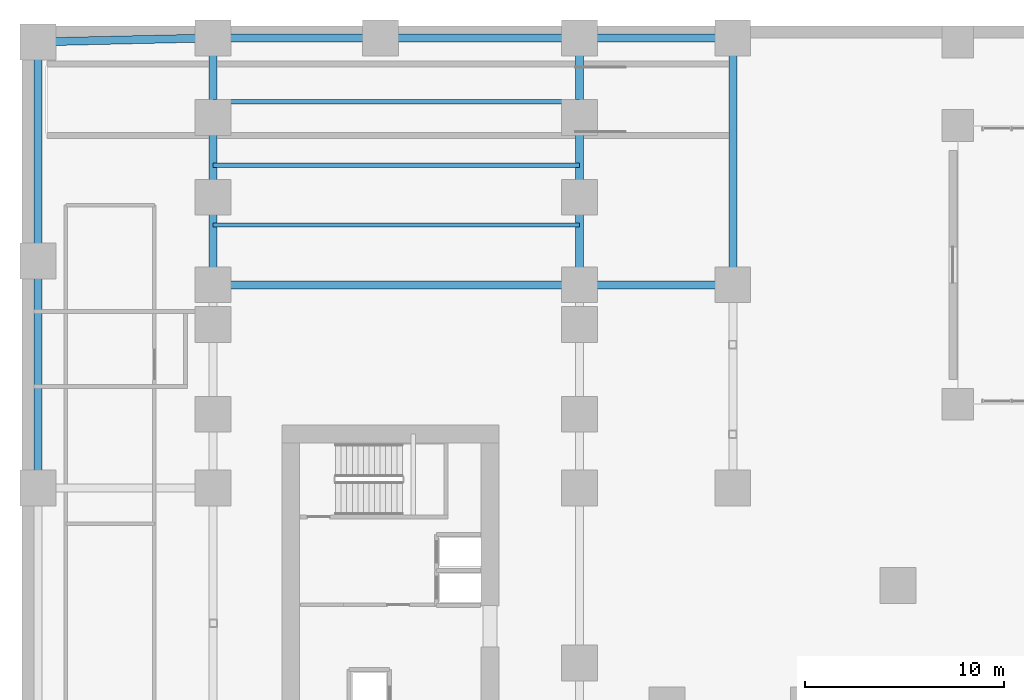
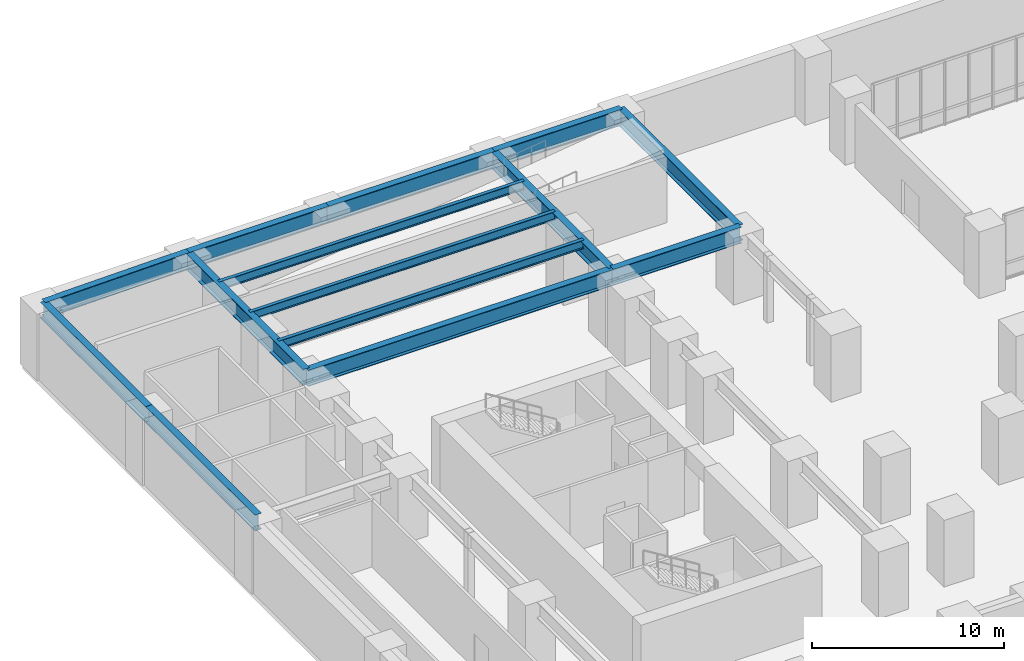
# One storey, part 10 of 18: 14 beams.
"""IFC4 building model written with IfcOpenShell, lengths in metres."""

import ifcopenshell
import ifcopenshell.guid

model = None  # the IFC model being written
_history = None  # IfcOwnerHistory: only IFC2X3 demands one
_inside = {}  # id of a spatial element -> (the spatial element, [elements in it])
_under = {}  # id of a project, library or spatial element -> (it, [spatial elements below it])
_declared = {}  # id of a project -> (the project, [libraries it declares])
_typed = {}  # id of a type object -> (the type object, [elements of that type])
_made_of = {}  # id of a material, layer set ... -> (it, [elements and type objects made of it])


def new_model(schema):
    """Start an empty IFC model of exactly this schema.

    Asked for "IFC4X3", IfcOpenShell would pick the latest addendum, in which some entities
    have other attributes; the version numbers below select the first issue.
    IFC2X3 requires an IfcOwnerHistory on every rooted entity: one is made here for all.
    """
    global model, _history
    if schema == "IFC4X3":
        model = ifcopenshell.file(schema_version=(4, 3, 0, 0))
    else:
        model = ifcopenshell.file(schema=schema)
    _inside.clear()
    _under.clear()
    _declared.clear()
    _typed.clear()
    _made_of.clear()
    _history = None
    if model.schema == "IFC2X3":
        org = make("IfcOrganization", Name="unknown")
        user = make(
            "IfcPersonAndOrganization",
            ThePerson=make("IfcPerson", FamilyName="unknown"),
            TheOrganization=org,
        )
        app = make(
            "IfcApplication",
            ApplicationDeveloper=org,
            Version="unknown",
            ApplicationFullName="unknown",
            ApplicationIdentifier="unknown",
        )
        _history = make(
            "IfcOwnerHistory",
            OwningUser=user,
            OwningApplication=app,
            ChangeAction="ADDED",
            CreationDate=0,
        )
    return model


def make(cls, **values):
    """One entity of the class cls with the attributes given. An attribute that is None is left unset."""
    return model.create_entity(
        cls, **{name: value for name, value in values.items() if value is not None}
    )


def rooted(cls, **values):
    """An entity with a GlobalId (a new one), such as an element, a storey or a relation."""
    return make(cls, GlobalId=ifcopenshell.guid.new(), OwnerHistory=_history, **values)


def si_unit(unit_type, name, prefix=None):
    """IfcSIUnit, for example si_unit("LENGTHUNIT", "METRE", prefix="MILLI")."""
    return make("IfcSIUnit", UnitType=unit_type, Prefix=prefix, Name=name)


def assignment(units):
    """IfcUnitAssignment: the units of a project."""
    return None if units is None else make("IfcUnitAssignment", Units=units)


def point(xyz):
    """IfcCartesianPoint."""
    return None if xyz is None else make("IfcCartesianPoint", Coordinates=xyz)


def direction(xyz):
    """IfcDirection."""
    return None if xyz is None else make("IfcDirection", DirectionRatios=xyz)


def frame(location, z_axis=None, x_axis=None):
    """IfcAxis2Placement3D, a coordinate frame: its origin and axes. An axis left out is left unset."""
    return make(
        "IfcAxis2Placement3D",
        Location=point(location),
        Axis=direction(z_axis),
        RefDirection=direction(x_axis),
    )


def frame_2d(location, x_axis=None):
    """IfcAxis2Placement2D, a coordinate frame in the plane: its origin and x axis."""
    return make(
        "IfcAxis2Placement2D", Location=point(location), RefDirection=direction(x_axis)
    )


def origin():
    """The frame at (0, 0, 0) with its axes left unset."""
    return frame((0.0, 0.0, 0.0))


def origin_2d():
    """The frame at (0, 0) in the plane with its x axis left unset."""
    return frame_2d((0.0, 0.0))


def place(relative_to, where):
    """IfcLocalPlacement: puts the frame where relative to a parent placement (None: the world)."""
    return make(
        "IfcLocalPlacement", PlacementRelTo=relative_to, RelativePlacement=where
    )


def context(
    kind, dimensions, precision=None, world=None, true_north=None, identifier=None
):
    """IfcGeometricRepresentationContext, for example the 3D "Model" context."""
    return make(
        "IfcGeometricRepresentationContext",
        ContextIdentifier=identifier,
        ContextType=kind,
        CoordinateSpaceDimension=dimensions,
        Precision=precision,
        WorldCoordinateSystem=world,
        TrueNorth=true_north,
    )


def subcontext(parent, identifier, kind, view, scale=None):
    """IfcGeometricRepresentationSubContext, for example "Body" below "Model"."""
    return make(
        "IfcGeometricRepresentationSubContext",
        ContextIdentifier=identifier,
        ContextType=kind,
        ParentContext=parent,
        TargetScale=scale,
        TargetView=view,
    )


def project(units=None, contexts=None):
    """IfcProject with its units and contexts."""
    return rooted(
        "IfcProject",
        Name="project",
        RepresentationContexts=contexts,
        UnitsInContext=assignment(units),
    )


def spatial(cls, under=None, at=None, **own):
    """A site, building, storey or space (cls), placed at a placement, below another one or the project."""
    s = rooted(cls, ObjectPlacement=at, **own)
    if under is not None:
        _under.setdefault(under.id(), (under, []))[1].append(s)
    return s


def profile(cls, at=None, kind="AREA", **sizes):
    """A parametric profile (cls). Its sizes go by their IFC names, for example OverallWidth=200.0."""
    return make(cls, ProfileType=kind, Position=at, **sizes)


def i_section(**sizes):
    """IfcIShapeProfileDef."""
    return profile("IfcIShapeProfileDef", **sizes)


def extrude(swept, where, along, depth):
    """IfcExtrudedAreaSolid: the profile swept, set in the frame where, extruded along a direction by depth."""
    return make(
        "IfcExtrudedAreaSolid",
        SweptArea=swept,
        Position=where,
        ExtrudedDirection=direction(along),
        Depth=depth,
    )


def shape(context_of_items, identifier, shape_type, items):
    """IfcShapeRepresentation: the items that make up one representation, for example the "Body"."""
    return make(
        "IfcShapeRepresentation",
        ContextOfItems=context_of_items,
        RepresentationIdentifier=identifier,
        RepresentationType=shape_type,
        Items=items,
    )


def source(mapping_origin, context_of_items, identifier, shape_type, items):
    """IfcRepresentationMap: a shape defined once, which mapped items show again and again."""
    return make(
        "IfcRepresentationMap",
        MappingOrigin=mapping_origin,
        MappedRepresentation=shape(context_of_items, identifier, shape_type, items),
    )


def transform(
    local_origin,
    x_axis=None,
    y_axis=None,
    z_axis=None,
    scale=None,
    scale2=None,
    scale3=None,
    uniform=True,
):
    """IfcCartesianTransformationOperator3D, or its non-uniform kind. x_axis, y_axis, z_axis: its Axis1, 2, 3."""
    if uniform:
        return make(
            "IfcCartesianTransformationOperator3D",
            Axis1=direction(x_axis),
            Axis2=direction(y_axis),
            LocalOrigin=point(local_origin),
            Scale=scale,
            Axis3=direction(z_axis),
        )
    return make(
        "IfcCartesianTransformationOperator3DnonUniform",
        Axis1=direction(x_axis),
        Axis2=direction(y_axis),
        LocalOrigin=point(local_origin),
        Scale=scale,
        Axis3=direction(z_axis),
        Scale2=scale2,
        Scale3=scale3,
    )


def mapped(mapping_source, mapping_target):
    """IfcMappedItem: shows the shape of a source again, moved by a transform."""
    return make(
        "IfcMappedItem", MappingSource=mapping_source, MappingTarget=mapping_target
    )


def material(Name=None, Category=None):
    """IfcMaterial."""
    return make("IfcMaterial", Name=Name, Category=Category)


def material_profile(
    of_material, cross_section, Name=None, Category=None, Priority=None
):
    """IfcMaterialProfile: a cross section and its material."""
    return make(
        "IfcMaterialProfile",
        Name=Name,
        Material=of_material,
        Profile=cross_section,
        Priority=Priority,
        Category=Category,
    )


def profile_set(profiles, Name=None, composite=None):
    """IfcMaterialProfileSet."""
    return make(
        "IfcMaterialProfileSet",
        Name=Name,
        MaterialProfiles=profiles,
        CompositeProfile=composite,
    )


def made_of(thing, what):
    """Note that an element or type object is made of a material, layer set ...; save() writes the relation."""
    if what is not None:
        _made_of.setdefault(what.id(), (what, []))[1].append(thing)
    return thing


def type_object(cls, material=None, **own):
    """A type object (cls), such as IfcWallType, which elements share."""
    return made_of(rooted(cls, **own), material)


def element(
    cls,
    number,
    at=None,
    inside=None,
    cuts=None,
    type_object=None,
    material=None,
    context=None,
    identifier="Body",
    shape_type=None,
    held_by="IfcProductDefinitionShape",
    body=None,
    shapes=None,
    **own,
):
    """One element of the class cls, such as IfcWall. Its Tag is "e" and its number.

    at: its placement. inside: the storey or other place that contains it. cuts: it is an
    opening in that element (IfcRelVoidsElement). A single representation is given by context,
    identifier, shape_type and body (its items); several are given by shapes. held_by: the class
    of the entity that holds the representations. save() writes the other relations.
    """
    e = rooted(cls, Tag="e%d" % number, ObjectPlacement=at, **own)
    if body is not None:
        shapes = [shape(context, identifier, shape_type, body)]
    if shapes is not None:
        e.Representation = make(held_by, Representations=shapes)
    if inside is not None:
        _inside.setdefault(inside.id(), (inside, []))[1].append(e)
    if cuts is not None:
        rooted(
            "IfcRelVoidsElement", RelatingBuildingElement=cuts, RelatedOpeningElement=e
        )
    if type_object is not None:
        _typed.setdefault(type_object.id(), (type_object, []))[1].append(e)
    return made_of(e, material)


def aggregate(whole, parts):
    """IfcRelAggregates: a whole, such as a stair, and the parts it consists of."""
    return rooted("IfcRelAggregates", RelatingObject=whole, RelatedObjects=parts)


def save(model, path):
    """Write the relations noted so far, then the file.

    IfcRelAggregates (storeys below a building ...), IfcRelContainedInSpatialStructure (elements
    in a storey), IfcRelDefinesByType, IfcRelAssociatesMaterial and IfcRelDeclares: one each for
    every whole, place, type object, material and project.
    """
    for whole, parts in _under.values():
        aggregate(whole, parts)
    for where, things in _inside.values():
        rooted(
            "IfcRelContainedInSpatialStructure",
            RelatedElements=things,
            RelatingStructure=where,
        )
    for kind, things in _typed.values():
        rooted("IfcRelDefinesByType", RelatedObjects=things, RelatingType=kind)
    for what, things in _made_of.values():
        rooted("IfcRelAssociatesMaterial", RelatedObjects=things, RelatingMaterial=what)
    for by, libraries in _declared.values():
        rooted("IfcRelDeclares", RelatingContext=by, RelatedDefinitions=libraries)
    model.write(path)


model = new_model("IFC4")

# Units and contexts
model_context = context("Model", 3, precision=1e-05, world=origin(), true_north=direction((0.0, 1.0)))
body_context = subcontext(model_context, "Body", "Model", "MODEL_VIEW")
ifc_project = project(units=[si_unit("LENGTHUNIT", "METRE"), si_unit("AREAUNIT", "SQUARE_METRE"), si_unit("VOLUMEUNIT", "CUBIC_METRE"), si_unit("PLANEANGLEUNIT", "RADIAN"), si_unit("MASSUNIT", "GRAM", prefix="KILO")], contexts=[model_context])

# Site, building, storey
site_placement = place(None, origin())
site = spatial("IfcSite", under=ifc_project, at=site_placement, CompositionType="ELEMENT")
building_placement = place(site_placement, origin())
building = spatial("IfcBuilding", under=site, at=building_placement, Name="Kharzan Plaza Tower", CompositionType="ELEMENT")
storey_placement = place(building_placement, frame((0.0, 0.0, -4.5)))
storey = spatial("IfcBuildingStorey", under=building, at=storey_placement, Name="B01", CompositionType="ELEMENT", Elevation=-4.5)

# Beams
ifc_material = material(Name="Steel S355", Category="steel")
ifc_material_profile_1 = material_profile(ifc_material, i_section(OverallWidth=0.402099609375, OverallDepth=1.02099609375, WebThickness=0.02099609375, FlangeThickness=0.037109375, at=origin_2d()), Name="W1000x412")
ifc_profile_set_1 = profile_set([ifc_material_profile_1], Name="Steel S355")
beam_type_1 = type_object("IfcBeamType", Name="BM-PG1000A", PredefinedType="BEAM", material=ifc_profile_set_1)
shared_shape_1 = source(origin(), body_context, "Body", "SweptSolid", [
    extrude(i_section(OverallWidth=0.402099609375, OverallDepth=1.02099609375, WebThickness=0.02099609375, FlangeThickness=0.037109375, at=origin_2d()), origin(), (0.0, 0.0, 1.0), 8.80224609375),
])
beam_1_placement = place(storey_placement, frame((-8.199951171875, 49.199951171875, 3.7294921875), z_axis=(0.9997419644, 0.022715735021, 0.0), x_axis=(-0.022715735021, 0.9997419644, 0.0)))
element("IfcBeam", 1, at=beam_1_placement, inside=storey, type_object=beam_type_1, Name="B01 Podium Primary Girder PG-8", PredefinedType="BEAM", context=body_context, shape_type="MappedRepresentation", body=[
    mapped(shared_shape_1, transform((0.0, 0.0, 0.0), x_axis=(1.0, 0.0, 0.0), y_axis=(0.0, 1.0, 0.0), z_axis=(0.0, 0.0, 1.0))),
])
shared_shape_2 = source(origin(), body_context, "Body", "SweptSolid", [
    extrude(i_section(OverallWidth=0.402099609375, OverallDepth=1.02099609375, WebThickness=0.02099609375, FlangeThickness=0.037109375, at=origin_2d()), origin(), (0.0, 0.0, 1.0), 10.0),
])
beam_2_placement = place(storey_placement, frame((9.0, 49.39990234375, 3.7294921875), z_axis=(1.0, 0.0, 0.0), x_axis=(0.0, 1.0, 0.0)))
element("IfcBeam", 2, at=beam_2_placement, inside=storey, type_object=beam_type_1, Name="B01 Podium Primary Girder PG-10", PredefinedType="BEAM", context=body_context, shape_type="MappedRepresentation", body=[
    mapped(shared_shape_2, transform((0.0, 0.0, 0.0), x_axis=(1.0, 0.0, 0.0), y_axis=(0.0, 1.0, 0.0), z_axis=(0.0, 0.0, 1.0))),
])
shared_shape_3 = source(origin(), body_context, "Body", "SweptSolid", [
    extrude(i_section(OverallWidth=0.402099609375, OverallDepth=1.02099609375, WebThickness=0.02099609375, FlangeThickness=0.037109375, at=origin_2d()), origin(), (0.0, 0.0, 1.0), 7.699951171875),
])
for number, where, z_axis, x_axis, name in (
    (3, (19.0, 49.39990234375, 3.7294921875), (1.0, 0.0, 0.0), (0.0, 1.0, 0.0), "B01 Podium Primary Girder PG-11"),
    (4, (19.0, 37.0, 3.7294921875), (1.0, 0.0, 0.0), (0.0, 1.0, 0.0), "B01 Podium Primary Girder PG-13"),
):
    element("IfcBeam", number, at=place(storey_placement, frame(where, z_axis=z_axis, x_axis=x_axis)), inside=storey, type_object=beam_type_1, Name=name, PredefinedType="BEAM", context=body_context, shape_type="MappedRepresentation", body=[
        mapped(shared_shape_3, transform((0.0, 0.0, 0.0), x_axis=(1.0, 0.0, 0.0), y_axis=(0.0, 1.0, 0.0), z_axis=(0.0, 0.0, 1.0))),
    ])
shared_shape_4 = source(origin(), body_context, "Body", "SweptSolid", [
    extrude(i_section(OverallWidth=0.402099609375, OverallDepth=1.02099609375, WebThickness=0.02099609375, FlangeThickness=0.037109375, at=origin_2d()), origin(), (0.0, 0.0, 1.0), 18.39990234375),
])
beam_3_placement = place(storey_placement, frame((0.60009765625, 37.0, 3.7294921875), z_axis=(1.0, 0.0, 0.0), x_axis=(0.0, 1.0, 0.0)))
element("IfcBeam", 5, at=beam_3_placement, inside=storey, type_object=beam_type_1, Name="B01 Podium Primary Girder PG-12", PredefinedType="BEAM", context=body_context, shape_type="MappedRepresentation", body=[
    mapped(shared_shape_4, transform((0.0, 0.0, 0.0), x_axis=(1.0, 0.0, 0.0), y_axis=(0.0, 1.0, 0.0), z_axis=(0.0, 0.0, 1.0))),
])
shared_shape_5 = source(origin(), body_context, "Body", "SweptSolid", [
    extrude(i_section(OverallWidth=0.402099609375, OverallDepth=1.02099609375, WebThickness=0.02099609375, FlangeThickness=0.037109375, at=origin_2d()), origin(), (0.0, 0.0, 1.0), 12.39990234375),
])
for number, where, z_axis, x_axis, name in (
    (6, (0.60009765625, 37.0, 3.7294921875), (0.0, 1.0, 0.0), (-1.0, 0.0, 0.0), "B01 Podium Primary Girder PG-17"),
    (7, (19.0, 37.0, 3.7294921875), (0.0, 1.0, 0.0), (-1.0, 0.0, 0.0), "B01 Podium Primary Girder PG-21"),
    (8, (26.699951171875, 37.0, 3.7294921875), (0.0, 1.0, 0.0), (-1.0, 0.0, 0.0), "B01 Podium Primary Girder PG-33"),
):
    element("IfcBeam", number, at=place(storey_placement, frame(where, z_axis=z_axis, x_axis=x_axis)), inside=storey, type_object=beam_type_1, Name=name, PredefinedType="BEAM", context=body_context, shape_type="MappedRepresentation", body=[
        mapped(shared_shape_5, transform((0.0, 0.0, 0.0), x_axis=(1.0, 0.0, 0.0), y_axis=(0.0, 1.0, 0.0), z_axis=(0.0, 0.0, 1.0))),
    ])
shared_shape_6 = source(origin(), body_context, "Body", "SweptSolid", [
    extrude(i_section(OverallWidth=0.402099609375, OverallDepth=1.02099609375, WebThickness=0.02099609375, FlangeThickness=0.037109375, at=origin_2d()), origin(), (0.0, 0.0, 1.0), 8.39990234375),
])
beam_4_placement = place(storey_placement, frame((0.60009765625, 49.39990234375, 3.7294921875), z_axis=(1.0, 0.0, 0.0), x_axis=(0.0, 1.0, 0.0)))
element("IfcBeam", 9, at=beam_4_placement, inside=storey, type_object=beam_type_1, Name="B01 Podium Primary Girder PG-9", PredefinedType="BEAM", context=body_context, shape_type="MappedRepresentation", body=[
    mapped(shared_shape_6, transform((0.0, 0.0, 0.0), x_axis=(1.0, 0.0, 0.0), y_axis=(0.0, 1.0, 0.0), z_axis=(0.0, 0.0, 1.0))),
])
shared_shape_7 = source(origin(), body_context, "Body", "SweptSolid", [
    extrude(i_section(OverallWidth=0.402099609375, OverallDepth=1.02099609375, WebThickness=0.02099609375, FlangeThickness=0.037109375, at=origin_2d()), origin(), (0.0, 0.0, 1.0), 11.39990234375),
])
beam_5_placement = place(storey_placement, frame((-8.199951171875, 26.800048828125, 3.7294921875), z_axis=(0.0, 1.0, 0.0), x_axis=(-1.0, 0.0, 0.0)))
element("IfcBeam", 10, at=beam_5_placement, inside=storey, type_object=beam_type_1, Name="B01 Podium Primary Girder PG-8W1", PredefinedType="BEAM", context=body_context, shape_type="MappedRepresentation", body=[
    mapped(shared_shape_7, transform((0.0, 0.0, 0.0), x_axis=(1.0, 0.0, 0.0), y_axis=(0.0, 1.0, 0.0), z_axis=(0.0, 0.0, 1.0))),
])
shared_shape_8 = source(origin(), body_context, "Body", "SweptSolid", [
    extrude(i_section(OverallWidth=0.402099609375, OverallDepth=1.02099609375, WebThickness=0.02099609375, FlangeThickness=0.037109375, at=origin_2d()), origin(), (0.0, 0.0, 1.0), 11.0),
])
beam_6_placement = place(storey_placement, frame((-8.199951171875, 38.199951171875, 3.7294921875), z_axis=(0.0, 1.0, 0.0), x_axis=(-1.0, 0.0, 0.0)))
element("IfcBeam", 11, at=beam_6_placement, inside=storey, type_object=beam_type_1, Name="B01 Podium Primary Girder PG-8W2", PredefinedType="BEAM", context=body_context, shape_type="MappedRepresentation", body=[
    mapped(shared_shape_8, transform((0.0, 0.0, 0.0), x_axis=(1.0, 0.0, 0.0), y_axis=(0.0, 1.0, 0.0), z_axis=(0.0, 0.0, 1.0))),
])
ifc_material_profile_2 = material_profile(ifc_material, i_section(OverallWidth=0.214111328125, OverallDepth=0.549072265625, WebThickness=0.0146484375, FlangeThickness=0.023681640625, at=origin_2d()), Name="W530x138")
ifc_profile_set_2 = profile_set([ifc_material_profile_2], Name="Steel S355")
beam_type_2 = type_object("IfcBeamType", Name="BM-JST530A", PredefinedType="JOIST", material=ifc_profile_set_2)
shared_shape_9 = source(origin(), body_context, "Body", "SweptSolid", [
    extrude(i_section(OverallWidth=0.214111328125, OverallDepth=0.549072265625, WebThickness=0.0146484375, FlangeThickness=0.023681640625, at=origin_2d()), origin(), (0.0, 0.0, 1.0), 18.39990234375),
])
for number, where, z_axis, x_axis, name in (
    (12, (0.60009765625, 40.0, 3.965576171875), (1.0, 0.0, 0.0), (0.0, 1.0, 0.0), "B01 Auditorium Joist PJ-1"),
    (13, (0.60009765625, 43.0, 3.965576171875), (1.0, 0.0, 0.0), (0.0, 1.0, 0.0), "B01 Auditorium Joist PJ-2"),
    (14, (0.60009765625, 46.199951171875, 3.965576171875), (1.0, 0.0, 0.0), (0.0, 1.0, 0.0), "B01 Auditorium Joist PJ-3"),
):
    element("IfcBeam", number, at=place(storey_placement, frame(where, z_axis=z_axis, x_axis=x_axis)), inside=storey, type_object=beam_type_2, Name=name, PredefinedType="JOIST", context=body_context, shape_type="MappedRepresentation", body=[
        mapped(shared_shape_9, transform((0.0, 0.0, 0.0), x_axis=(1.0, 0.0, 0.0), y_axis=(0.0, 1.0, 0.0), z_axis=(0.0, 0.0, 1.0))),
    ])

save(model, "model.ifc")
